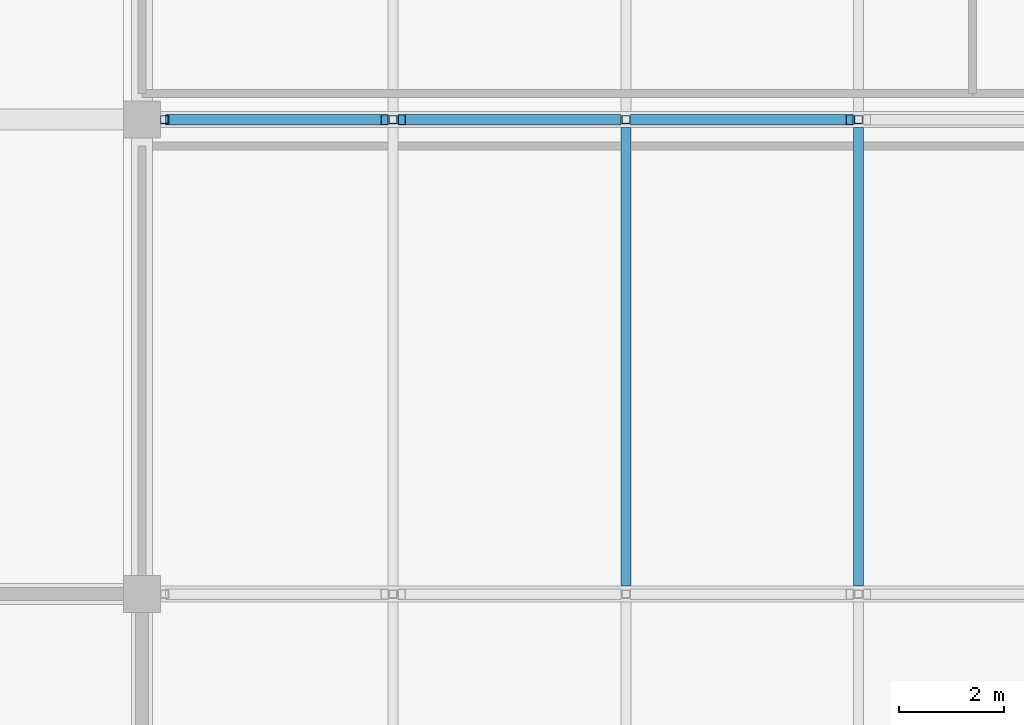
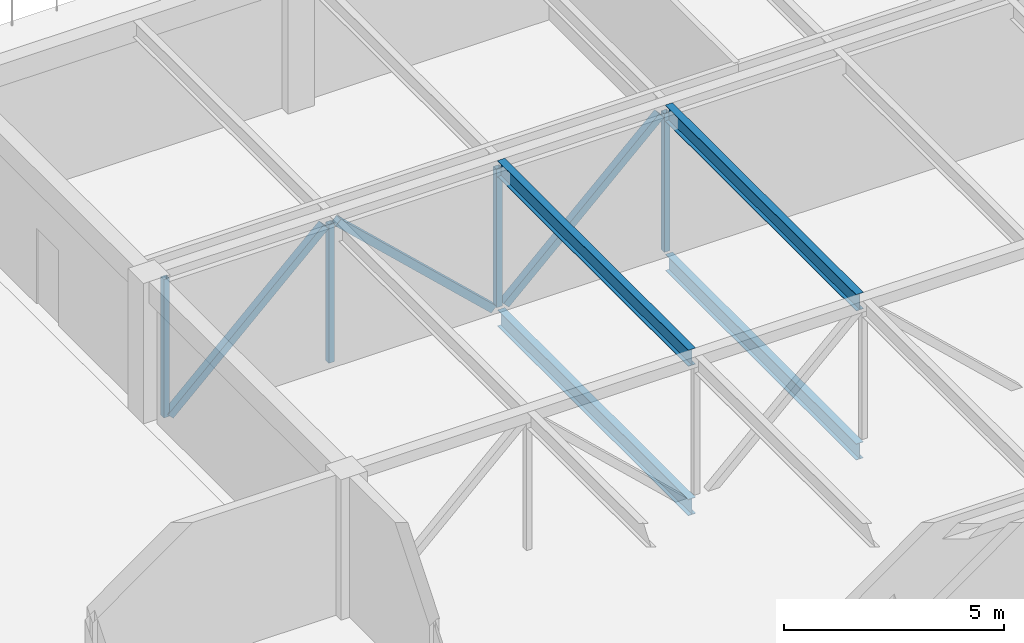
# One storey, part 11 of 30: 7 members, 4 beams.
"""IFC4 building model written with IfcOpenShell, lengths in metres."""

from ifc_helpers import new_model, si_unit, direction, frame, origin, origin_2d, place, context, subcontext, project, spatial, hollow_rectangle, i_section, extrude, material, material_profile, profile_set, type_object, element, save


model = new_model("IFC4")

# Units and contexts
model_context = context("Model", 3, precision=1e-05, world=origin(), true_north=direction((0.0, 1.0)))
body_context = subcontext(model_context, "Body", "Model", "MODEL_VIEW")
ifc_project = project(units=[si_unit("LENGTHUNIT", "METRE"), si_unit("AREAUNIT", "SQUARE_METRE"), si_unit("VOLUMEUNIT", "CUBIC_METRE"), si_unit("PLANEANGLEUNIT", "RADIAN"), si_unit("MASSUNIT", "GRAM", prefix="KILO")], contexts=[model_context])

# Site, building, storey
site_placement = place(None, origin())
site = spatial("IfcSite", under=ifc_project, at=site_placement, CompositionType="ELEMENT")
building_placement = place(site_placement, origin())
building = spatial("IfcBuilding", under=site, at=building_placement, Name="Corbel Stack Research Tower", CompositionType="ELEMENT")
storey_placement = place(building_placement, frame((0.0, 0.0, 19.5)))
storey = spatial("IfcBuildingStorey", under=building, at=storey_placement, Name="L04", CompositionType="ELEMENT", Elevation=19.5)

# Beams
ifc_material_1 = material(Name="Steel S355", Category="steel")
ifc_material_profile_1 = material_profile(ifc_material_1, i_section(OverallWidth=0.18994140625, OverallDepth=0.45703125, WebThickness=0.009033203125, FlangeThickness=0.013916015625, at=origin_2d()), Name="W18x50")
ifc_profile_set_1 = profile_set([ifc_material_profile_1], Name="Steel S355")
beam_type = type_object("IfcBeamType", Name="HB3 steel beam W18x50", PredefinedType="BEAM", material=ifc_profile_set_1)
for number, where, z_axis, x_axis, name in (
    (1, (60.125, 0.152587890625, -0.478515625), (0.0, 1.0, 0.0), (-1.0, 0.0, 0.0), "Steel floor beam L04 bay 3 line 2"),
    (2, (64.53759765625, 0.152587890625, -0.478515625), (0.0, 1.0, 0.0), (-1.0, 0.0, 0.0), "Steel floor beam L04 bay 3 line 3"),
    (3, (60.125, 0.152587890625, 3.67138671875), (0.0, 1.0, 0.0), (-1.0, 0.0, 0.0), "Steel floor beam R bay 3 line 2"),
    (4, (64.53759765625, 0.152587890625, 3.67138671875), (0.0, 1.0, 0.0), (-1.0, 0.0, 0.0), "Steel floor beam R bay 3 line 3"),
):
    element("IfcBeam", number, at=place(storey_placement, frame(where, z_axis=z_axis, x_axis=x_axis)), inside=storey, type_object=beam_type, Name=name, PredefinedType="BEAM", context=body_context, shape_type="SweptSolid", body=[
        extrude(i_section(OverallWidth=0.18994140625, OverallDepth=0.45703125, WebThickness=0.009033203125, FlangeThickness=0.013916015625, at=origin_2d()), origin(), (0.0, 0.0, 1.0), 8.69482421875),
    ])

# Members
ifc_material_2 = material(Name="Steel S355", Category="steel")
ifc_material_profile_2 = material_profile(ifc_material_2, hollow_rectangle(XDim=0.202880859375, YDim=0.202880859375, WallThickness=0.0087890625, at=origin_2d()), Name="HSS8x8x3/8")
ifc_profile_set_2 = profile_set([ifc_material_profile_2], Name="Steel S355")
member_type_1 = type_object("IfcMemberType", Name="HT2 truss diagonal HSS8x8x3/8", PredefinedType="BRACE", material=ifc_profile_set_2)
for number, where, z_axis, x_axis, name in (
    (5, (51.462158203125, 9.0, -0.25), (0.728438769744, 0.0, 0.685110909805), (0.0, 1.0, 0.0), "Truss TB3 diagonal 1"),
    (6, (55.874755859375, 9.0, 3.594970703125), (0.728438769744, 0.0, -0.685110909805), (0.0, 1.0, 0.0), "Truss TB3 diagonal 2"),
    (7, (60.287109375, 9.0, -0.25), (0.728438769744, 0.0, 0.685110909805), (0.0, 1.0, 0.0), "Truss TB3 diagonal 3"),
):
    element("IfcMember", number, at=place(storey_placement, frame(where, z_axis=z_axis, x_axis=x_axis)), inside=storey, type_object=member_type_1, Name=name, PredefinedType="BRACE", context=body_context, shape_type="SweptSolid", body=[
        extrude(hollow_rectangle(XDim=0.202880859375, YDim=0.202880859375, WallThickness=0.0087890625, at=origin_2d()), origin(), (0.0, 0.0, 1.0), 5.6123046875),
    ])
ifc_material_3 = material(Name="Steel S355", Category="steel")
ifc_material_profile_3 = material_profile(ifc_material_3, hollow_rectangle(XDim=0.152099609375, YDim=0.152099609375, WallThickness=0.005859375, at=origin_2d()), Name="HSS6x6x1/4")
ifc_profile_set_3 = profile_set([ifc_material_profile_3], Name="Steel S355")
member_type_2 = type_object("IfcMemberType", Name="HT3 truss post HSS6x6x1/4", PredefinedType="POST", material=ifc_profile_set_3)
for number, where, z_axis, x_axis, name in (
    (8, (51.3759765625, 9.0, -0.25), (0.0, 0.0, 1.0), (1.0, 0.0, 0.0), "Truss TB3 post 1"),
    (9, (55.71240234375, 9.0, -0.25), (0.0, 0.0, 1.0), (1.0, 0.0, 0.0), "Truss TB3 post 2"),
    (10, (60.125, 9.0, -0.25), (0.0, 0.0, 1.0), (1.0, 0.0, 0.0), "Truss TB3 post 3"),
    (11, (64.53759765625, 9.0, -0.25), (0.0, 0.0, 1.0), (1.0, 0.0, 0.0), "Truss TB3 post 4"),
):
    element("IfcMember", number, at=place(storey_placement, frame(where, z_axis=z_axis, x_axis=x_axis)), inside=storey, type_object=member_type_2, Name=name, PredefinedType="POST", context=body_context, shape_type="SweptSolid", body=[
        extrude(hollow_rectangle(XDim=0.152099609375, YDim=0.152099609375, WallThickness=0.005859375, at=origin_2d()), origin(), (0.0, 0.0, 1.0), 3.844970703125),
    ])

save(model, "model.ifc")
